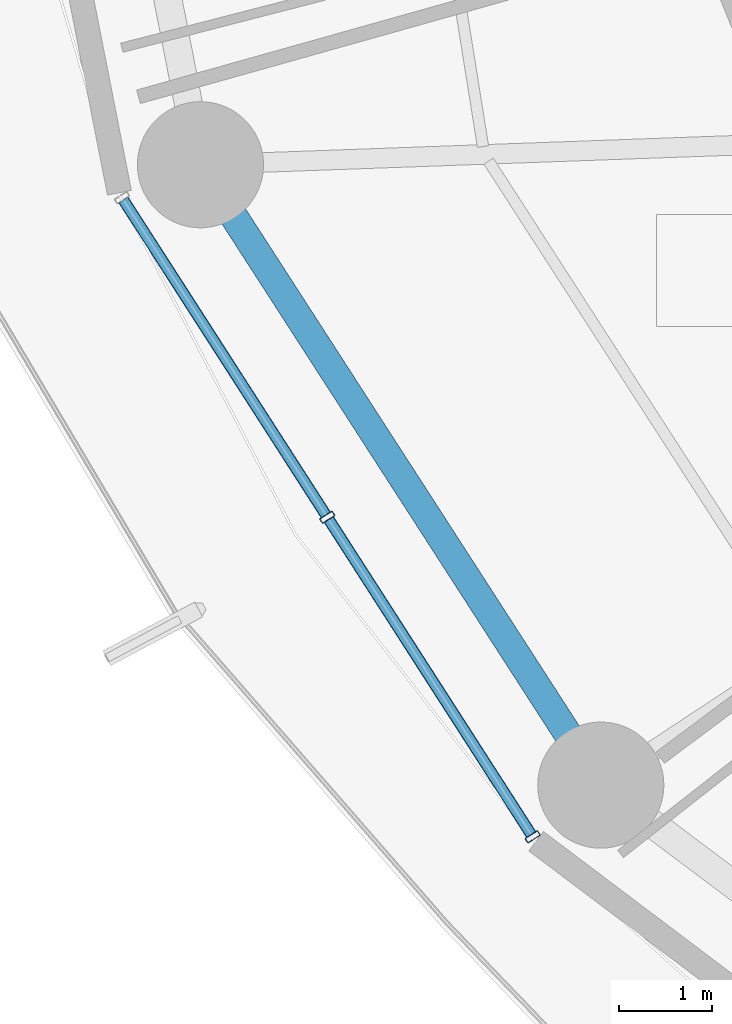
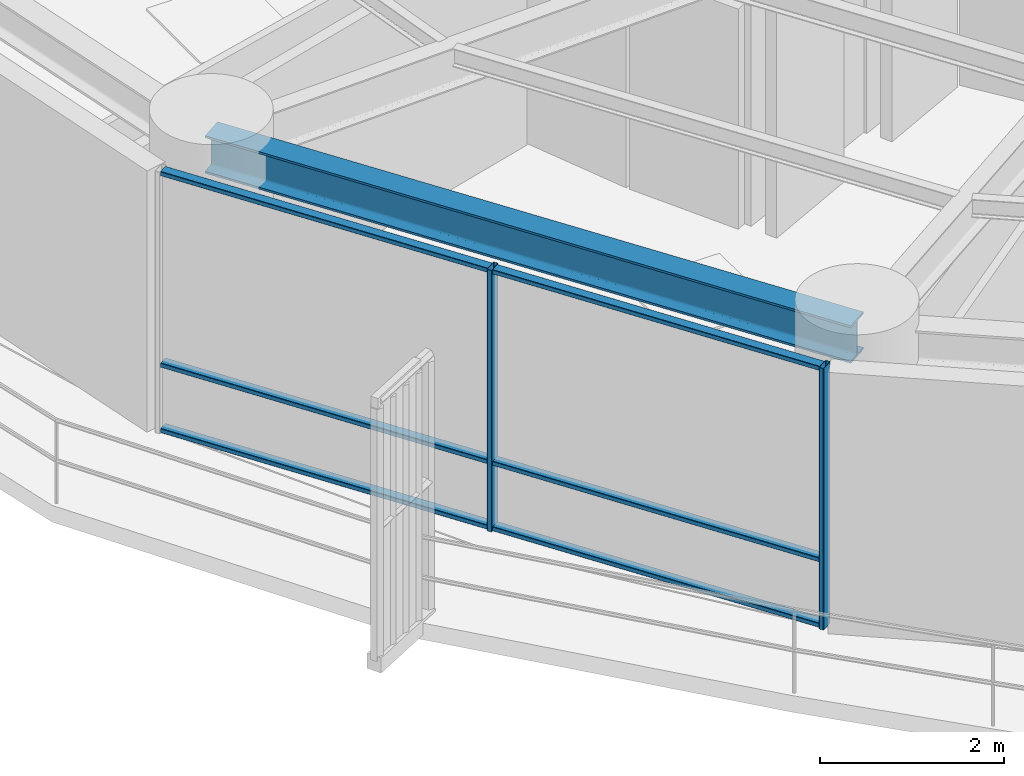
# One storey, part 2 of 36: 8 members, 1 beam, 1 element without a shape of its own.
"""IFC4 building model written with IfcOpenShell, lengths in metres."""

from ifc_helpers import new_model, si_unit, direction, frame, origin, origin_2d, place, context, subcontext, project, spatial, hollow_rectangle, i_section, extrude, material, layer, layer_set, material_profile, profile_set, type_object, element, aggregate, save


model = new_model("IFC4")

# Units and contexts
model_context = context("Model", 3, precision=1e-05, world=origin(), true_north=direction((0.0, 1.0)))
body_context = subcontext(model_context, "Body", "Model", "MODEL_VIEW")
ifc_project = project(units=[si_unit("LENGTHUNIT", "METRE"), si_unit("AREAUNIT", "SQUARE_METRE"), si_unit("VOLUMEUNIT", "CUBIC_METRE"), si_unit("PLANEANGLEUNIT", "RADIAN"), si_unit("MASSUNIT", "GRAM", prefix="KILO")], contexts=[model_context])

# Site, building, storey
site_placement = place(None, origin())
site = spatial("IfcSite", under=ifc_project, at=site_placement, CompositionType="ELEMENT")
building_placement = place(site_placement, origin())
building = spatial("IfcBuilding", under=site, at=building_placement, Name="Kelanora Arch Commons", CompositionType="ELEMENT")
storey_placement = place(building_placement, frame((0.0, 0.0, 102.60009765625)))
storey = spatial("IfcBuildingStorey", under=building, at=storey_placement, Name="L26", CompositionType="ELEMENT", Elevation=102.60009765625)

# Beam
ifc_material_1 = material(Name="Steel S355", Category="steel")
ifc_material_profile_1 = material_profile(ifc_material_1, i_section(OverallWidth=0.300048828125, OverallDepth=0.5, WebThickness=0.014404296875, FlangeThickness=0.028076171875, FilletRadius=0.027099609375, at=origin_2d()), Name="HEB500")
ifc_profile_set_1 = profile_set([ifc_material_profile_1], Name="Steel S355")
beam_type = type_object("IfcBeamType", Name="BM-SPN-Z2", PredefinedType="SPANDREL", material=ifc_profile_set_1)
beam_placement = place(storey_placement, frame((50.808349609375, 50.4482421875, 3.239990234375), z_axis=(0.542221144054, -0.840235818649, 0.0), x_axis=(0.840235818649, 0.542221144054, 0.0)))
element("IfcBeam", 1, at=beam_placement, inside=storey, type_object=beam_type, Name="Perimeter Spandrel Beam BS-20 L26", PredefinedType="SPANDREL", context=body_context, shape_type="SweptSolid", body=[
    extrude(i_section(OverallWidth=0.300048828125, OverallDepth=0.5, WebThickness=0.014404296875, FlangeThickness=0.028076171875, FilletRadius=0.027099609375, at=origin_2d()), origin(), (0.0, 0.0, 1.0), 7.90380859375),
])

# Curtain wall, members
ifc_material_2 = material(Name="Terracotta ceramic-fritted low-E glass and aluminium", Category="masonry")
ifc_layer = layer(ifc_material_2, 0.159912109375)
ifc_layer_set = layer_set([ifc_layer], Name="Terracotta ceramic-fritted low-E glass and aluminium")
curtain_wall_type = type_object("IfcCurtainWallType", Name="CW-SYS-01", PredefinedType="NOTDEFINED", material=ifc_layer_set)
curtain_wall_placement = place(storey_placement, origin())
curtain_wall = element("IfcCurtainWall", 2, at=curtain_wall_placement, inside=storey, type_object=curtain_wall_type, Name="Unitised Curtain Wall L26-B10", PredefinedType="NOTDEFINED")
ifc_material_3 = material(Name="Powder-coated aluminium terracotta", Category="masonry")
ifc_material_profile_2 = material_profile(ifc_material_3, hollow_rectangle(XDim=0.159912109375, YDim=0.06005859375, WallThickness=0.0048828125, InnerFilletRadius=0.0048828125, OuterFilletRadius=0.010009765625, at=origin_2d()), Name="CWM160x60")
ifc_profile_set_2 = profile_set([ifc_material_profile_2], Name="Powder-coated aluminium terracotta")
member_type_1 = type_object("IfcMemberType", Name="CWM-STD", PredefinedType="MULLION", material=ifc_profile_set_2)
member_1_placement = place(storey_placement, frame((52.16650390625, 46.6748046875, 0.0), z_axis=(0.0, 0.0, 1.0), x_axis=(0.841268883088, 0.540616931244, 0.0)))
member_1 = element("IfcMember", 3, at=member_1_placement, type_object=member_type_1, Name="CW-01 mullion 2", PredefinedType="MULLION", context=body_context, shape_type="SweptSolid", body=[
    extrude(hollow_rectangle(XDim=0.159912109375, YDim=0.06005859375, WallThickness=0.0048828125, InnerFilletRadius=0.0048828125, OuterFilletRadius=0.010009765625, at=origin_2d()), origin(), (0.0, 0.0, 1.0), 3.474853515625),
])
member_2_placement = place(storey_placement, frame((54.364990234375, 43.253662109375, 0.0), z_axis=(0.0, 0.0, 1.0), x_axis=(0.841268883088, 0.540616931244, 0.0)))
member_2 = element("IfcMember", 4, at=member_2_placement, type_object=member_type_1, Name="CW-01 mullion 3", PredefinedType="MULLION", context=body_context, shape_type="SweptSolid", body=[
    extrude(hollow_rectangle(XDim=0.159912109375, YDim=0.06005859375, WallThickness=0.0048828125, InnerFilletRadius=0.0048828125, OuterFilletRadius=0.010009765625, at=origin_2d()), origin(), (0.0, 0.0, 1.0), 3.474853515625),
])
ifc_material_profile_3 = material_profile(ifc_material_3, hollow_rectangle(XDim=0.1201171875, YDim=0.06005859375, WallThickness=0.0048828125, InnerFilletRadius=0.0048828125, OuterFilletRadius=0.010009765625, at=origin_2d()), Name="CWT120x60")
ifc_profile_set_3 = profile_set([ifc_material_profile_3], Name="Powder-coated aluminium terracotta")
member_type_2 = type_object("IfcMemberType", Name="CWT-STD", PredefinedType="USERDEFINED", material=ifc_profile_set_3)
member_3_placement = place(storey_placement, frame((49.984375, 50.0703125, 0.02978515625), z_axis=(0.540643629734, -0.841251725483, 0.0), x_axis=(0.841251725483, 0.540643629734, 0.0)))
member_3 = element("IfcMember", 5, at=member_3_placement, type_object=member_type_2, Name="CW-01 transom 1.1", ObjectType="TRANSOM", PredefinedType="USERDEFINED", context=body_context, shape_type="SweptSolid", body=[
    extrude(hollow_rectangle(XDim=0.1201171875, YDim=0.06005859375, WallThickness=0.0048828125, InnerFilletRadius=0.0048828125, OuterFilletRadius=0.010009765625, at=origin_2d()), origin(), (0.0, 0.0, 1.0), 4.00634765625),
])
member_4_placement = place(storey_placement, frame((49.984375, 50.0703125, 0.89990234375), z_axis=(0.540643629734, -0.841251725483, 0.0), x_axis=(0.841251725483, 0.540643629734, 0.0)))
member_4 = element("IfcMember", 6, at=member_4_placement, type_object=member_type_2, Name="CW-01 transom 1.2", ObjectType="TRANSOM", PredefinedType="USERDEFINED", context=body_context, shape_type="SweptSolid", body=[
    extrude(hollow_rectangle(XDim=0.1201171875, YDim=0.06005859375, WallThickness=0.0048828125, InnerFilletRadius=0.0048828125, OuterFilletRadius=0.010009765625, at=origin_2d()), origin(), (0.0, 0.0, 1.0), 4.00634765625),
])
member_5_placement = place(storey_placement, frame((49.984375, 50.0703125, 3.44482421875), z_axis=(0.540643629734, -0.841251725483, 0.0), x_axis=(0.841251725483, 0.540643629734, 0.0)))
member_5 = element("IfcMember", 7, at=member_5_placement, type_object=member_type_2, Name="CW-01 transom 1.3", ObjectType="TRANSOM", PredefinedType="USERDEFINED", context=body_context, shape_type="SweptSolid", body=[
    extrude(hollow_rectangle(XDim=0.1201171875, YDim=0.06005859375, WallThickness=0.0048828125, InnerFilletRadius=0.0048828125, OuterFilletRadius=0.010009765625, at=origin_2d()), origin(), (0.0, 0.0, 1.0), 4.00634765625),
])
member_6_placement = place(storey_placement, frame((52.182861328125, 46.6494140625, 0.02978515625), z_axis=(0.540643629734, -0.841251725483, 0.0), x_axis=(0.841251725483, 0.540643629734, 0.0)))
member_6 = element("IfcMember", 8, at=member_6_placement, type_object=member_type_2, Name="CW-01 transom 2.1", ObjectType="TRANSOM", PredefinedType="USERDEFINED", context=body_context, shape_type="SweptSolid", body=[
    extrude(hollow_rectangle(XDim=0.1201171875, YDim=0.06005859375, WallThickness=0.0048828125, InnerFilletRadius=0.0048828125, OuterFilletRadius=0.010009765625, at=origin_2d()), origin(), (0.0, 0.0, 1.0), 4.00634765625),
])
member_7_placement = place(storey_placement, frame((52.182861328125, 46.6494140625, 0.89990234375), z_axis=(0.540643629734, -0.841251725483, 0.0), x_axis=(0.841251725483, 0.540643629734, 0.0)))
member_7 = element("IfcMember", 9, at=member_7_placement, type_object=member_type_2, Name="CW-01 transom 2.2", ObjectType="TRANSOM", PredefinedType="USERDEFINED", context=body_context, shape_type="SweptSolid", body=[
    extrude(hollow_rectangle(XDim=0.1201171875, YDim=0.06005859375, WallThickness=0.0048828125, InnerFilletRadius=0.0048828125, OuterFilletRadius=0.010009765625, at=origin_2d()), origin(), (0.0, 0.0, 1.0), 4.00634765625),
])
member_8_placement = place(storey_placement, frame((52.182861328125, 46.6494140625, 3.44482421875), z_axis=(0.540643629734, -0.841251725483, 0.0), x_axis=(0.841251725483, 0.540643629734, 0.0)))
member_8 = element("IfcMember", 10, at=member_8_placement, type_object=member_type_2, Name="CW-01 transom 2.3", ObjectType="TRANSOM", PredefinedType="USERDEFINED", context=body_context, shape_type="SweptSolid", body=[
    extrude(hollow_rectangle(XDim=0.1201171875, YDim=0.06005859375, WallThickness=0.0048828125, InnerFilletRadius=0.0048828125, OuterFilletRadius=0.010009765625, at=origin_2d()), origin(), (0.0, 0.0, 1.0), 4.00634765625),
])
aggregate(curtain_wall, [member_1, member_2, member_3, member_4, member_5, member_6, member_7, member_8])

save(model, "model.ifc")
